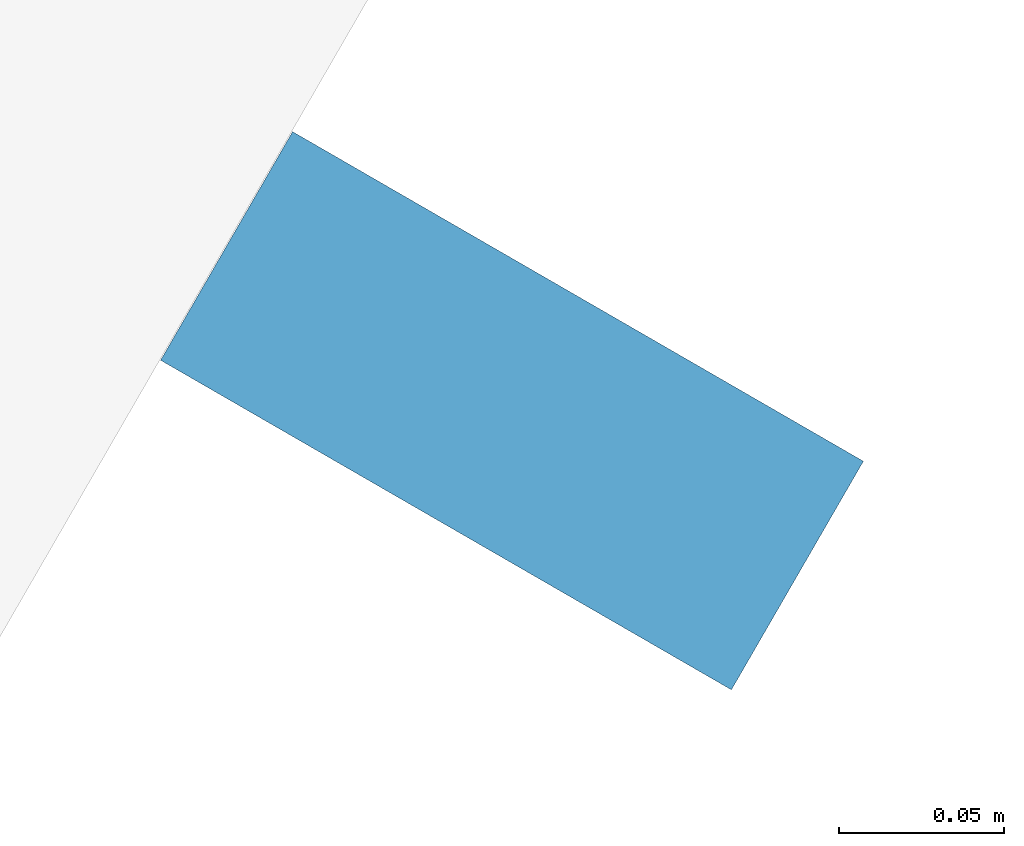
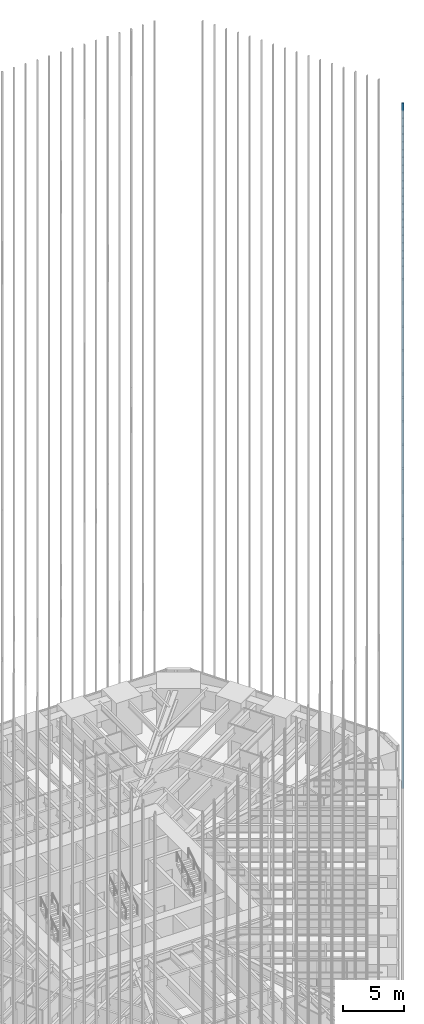
# One storey, part 196 of 256: 1 member, 1 element without a shape of its own.
"""IFC4 building model written with IfcOpenShell, lengths in metres."""

from ifc_helpers import new_model, si_unit, direction, frame, origin, origin_2d, place, context, subcontext, project, spatial, rectangle, extrude, material, material_profile, profile_set, type_object, element, aggregate, save


model = new_model("IFC4")

# Units and contexts
model_context = context("Model", 3, precision=1e-05, world=origin(), true_north=direction((0.0, 1.0)))
body_context = subcontext(model_context, "Body", "Model", "MODEL_VIEW")
ifc_project = project(units=[si_unit("LENGTHUNIT", "METRE"), si_unit("AREAUNIT", "SQUARE_METRE"), si_unit("VOLUMEUNIT", "CUBIC_METRE"), si_unit("PLANEANGLEUNIT", "RADIAN"), si_unit("MASSUNIT", "GRAM", prefix="KILO")], contexts=[model_context])

# Site, building, storey
site_placement = place(None, origin())
site = spatial("IfcSite", under=ifc_project, at=site_placement, CompositionType="ELEMENT")
building_placement = place(site_placement, origin())
building = spatial("IfcBuilding", under=site, at=building_placement, Name="Sandreach Pilgrim Tower", CompositionType="ELEMENT")
storey_placement = place(building_placement, frame((0.0, 0.0, 23.0)))
storey = spatial("IfcBuildingStorey", under=building, at=storey_placement, Name="L04", CompositionType="ELEMENT", Elevation=23.0)

# Curtain wall, member
ifc_material_1 = material(Name="Aluminium framed curtain wall", Category="aluminium")
curtain_wall_type = type_object("IfcCurtainWallType", Name="Hostel tower curtain wall", PredefinedType="NOTDEFINED", material=ifc_material_1)
curtain_wall_placement = place(storey_placement, origin())
curtain_wall = element("IfcCurtainWall", 1, at=curtain_wall_placement, inside=storey, type_object=curtain_wall_type, Name="CW-1 L04 SE", PredefinedType="NOTDEFINED")
ifc_material_2 = material(Name="Extruded terracotta on aluminium core", Category="masonry")
ifc_material_profile = material_profile(ifc_material_2, rectangle(XDim=0.080078125, YDim=0.199951171875, at=origin_2d()), Name="TBE 80X200")
ifc_profile_set = profile_set([ifc_material_profile], Name="Extruded terracotta on aluminium core")
member_type = type_object("IfcMemberType", Name="Terracotta baguette east", PredefinedType="USERDEFINED", material=ifc_profile_set)
member_placement = place(storey_placement, frame((30.4853515625, 4.1044921875, 0.0), z_axis=(0.0, 0.0, 1.0), x_axis=(-0.5, -0.866025403784, 0.0)))
member = element("IfcMember", 2, at=member_placement, type_object=member_type, Name="Baguette Z1 SE01", ObjectType="BAGUETTE", PredefinedType="USERDEFINED", context=body_context, shape_type="SweptSolid", body=[
    extrude(rectangle(XDim=0.080078125, YDim=0.199951171875, at=origin_2d()), origin(), (0.0, 0.0, 1.0), 68.239990234375),
])
aggregate(curtain_wall, [member])

save(model, "model.ifc")
